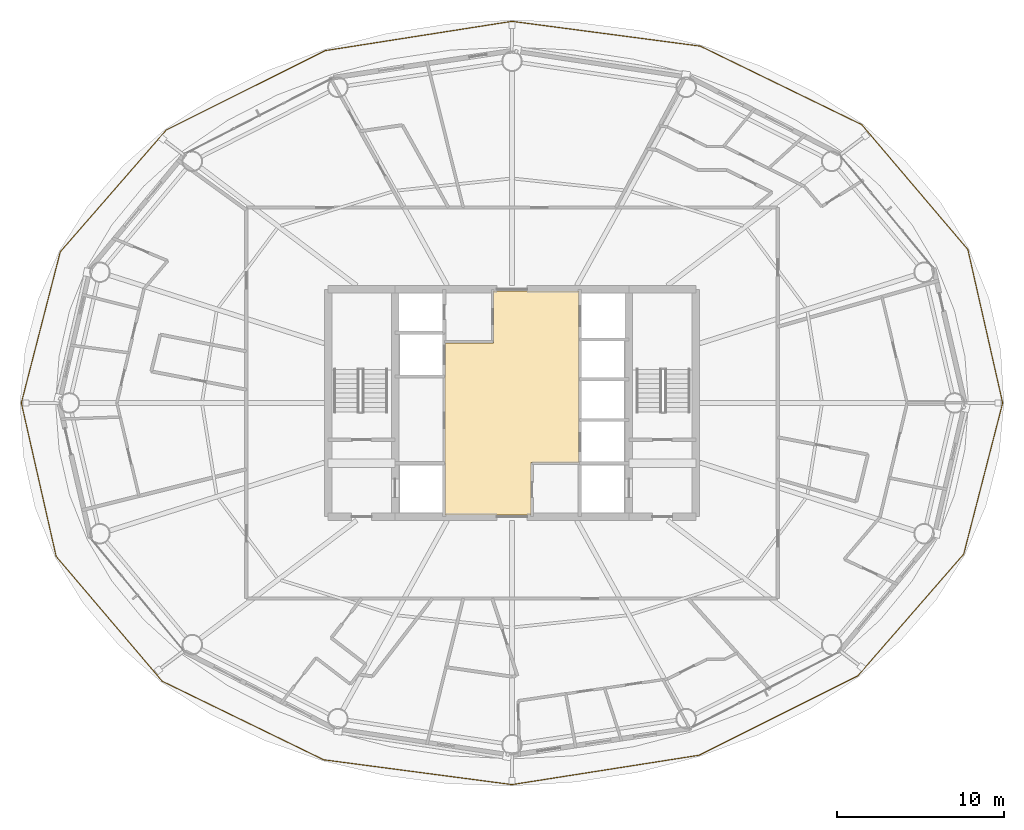
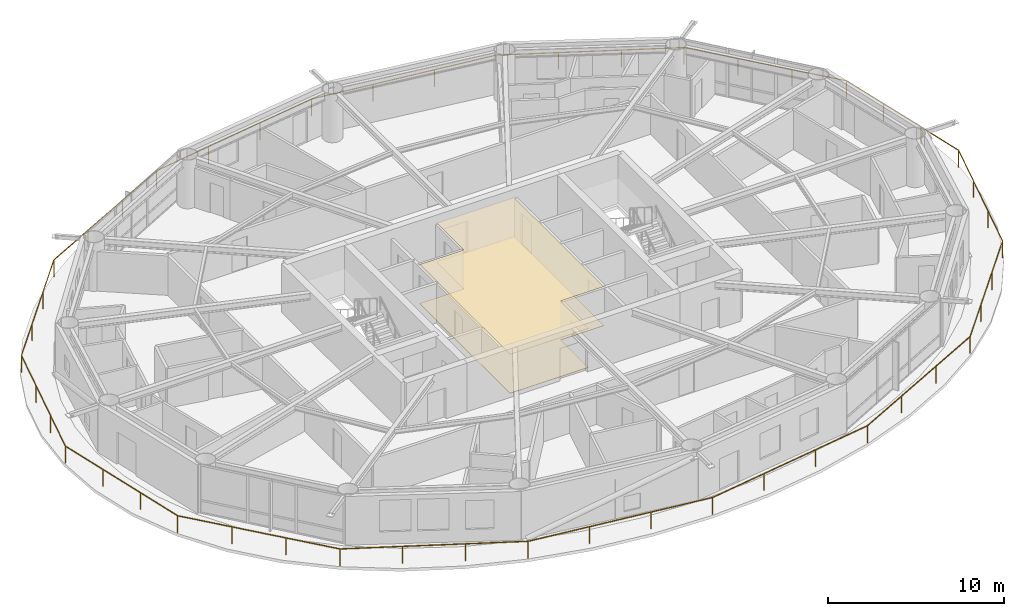
# One storey, part 27 of 28: 2 coverings, 1 railing.
"""IFC4 building model written with IfcOpenShell, lengths in metres."""

from ifc_helpers import new_model, si_unit, direction, frame, origin, origin_2d, place, context, subcontext, project, spatial, polyline, rectangle, outline, extrude, material, layer, layer_set, type_object, element, save


model = new_model("IFC4")

# Units and contexts
model_context = context("Model", 3, precision=1e-05, world=origin(), true_north=direction((0.0, 1.0)))
body_context = subcontext(model_context, "Body", "Model", "MODEL_VIEW")
ifc_project = project(units=[si_unit("LENGTHUNIT", "METRE"), si_unit("AREAUNIT", "SQUARE_METRE"), si_unit("VOLUMEUNIT", "CUBIC_METRE"), si_unit("PLANEANGLEUNIT", "RADIAN"), si_unit("MASSUNIT", "GRAM", prefix="KILO")], contexts=[model_context])

# Site, building, storey
site_placement = place(None, origin())
site = spatial("IfcSite", under=ifc_project, at=site_placement, CompositionType="ELEMENT")
building_placement = place(site_placement, origin())
building = spatial("IfcBuilding", under=site, at=building_placement, Name="Sarneth Arch Tower", CompositionType="ELEMENT")
storey_placement = place(building_placement, frame((0.0, 0.0, 183.0)))
storey = spatial("IfcBuildingStorey", under=building, at=storey_placement, Name="L46", CompositionType="ELEMENT", Elevation=183.0)

# Coverings
ifc_material_1 = material(Name="Perforated acoustic gypsum ceiling board")
ifc_layer_1 = layer(ifc_material_1, 0.02490234375)
ifc_layer_set_1 = layer_set([ifc_layer_1], Name="Perforated acoustic gypsum ceiling board")
covering_type_1 = type_object("IfcCoveringType", Name="COV-CEIL-GYP", PredefinedType="CEILING", material=ifc_layer_set_1)
covering_1_placement = place(storey_placement, frame((0.0, 0.0, 2.7099609375)))
element("IfcCovering", 1, at=covering_1_placement, inside=storey, type_object=covering_type_1, Name="L46 Lift lobby acoustic ceiling", PredefinedType="CEILING", context=body_context, shape_type="SweptSolid", body=[
    extrude(outline(polyline([(49.14990234375, 38.449951171875), (49.14990234375, 35.300048828125), (44.0, 35.300048828125), (44.0, 45.60009765625), (46.89990234375, 45.60009765625), (46.89990234375, 48.699951171875), (52.0, 48.699951171875), (52.0, 38.449951171875), (49.14990234375, 38.449951171875)])), origin(), (0.0, 0.0, 1.0), 0.030029296875),
])
ifc_material_2 = material(Name="Honed granite stone flooring", Category="masonry")
ifc_layer_2 = layer(ifc_material_2, 0.030029296875)
ifc_layer_set_2 = layer_set([ifc_layer_2], Name="Honed granite stone flooring")
covering_type_2 = type_object("IfcCoveringType", Name="COV-FLR-STONE", PredefinedType="FLOORING", material=ifc_layer_set_2)
covering_2_placement = place(storey_placement, origin())
element("IfcCovering", 2, at=covering_2_placement, inside=storey, type_object=covering_type_2, Name="L46 Lift lobby granite flooring", PredefinedType="FLOORING", context=body_context, shape_type="SweptSolid", body=[
    extrude(outline(polyline([(49.14990234375, 38.449951171875), (49.14990234375, 35.300048828125), (44.0, 35.300048828125), (44.0, 45.60009765625), (46.89990234375, 45.60009765625), (46.89990234375, 48.699951171875), (52.0, 48.699951171875), (52.0, 38.449951171875), (49.14990234375, 38.449951171875)])), origin(), (0.0, 0.0, 1.0), 0.030029296875),
])

# Railing
ifc_material_3 = material(Name="Laminated structural glass infill with Stainless Steel 316 top rail and posts", Category="steel")
railing_type = type_object("IfcRailingType", Name="RAIL-BALC-1200", PredefinedType="BALUSTRADE", material=ifc_material_3)
railing_placement = place(storey_placement, frame((77.3642578125, 42.0, 0.0)))
element("IfcRailing", 3, at=railing_placement, inside=storey, type_object=railing_type, Name="L46 Helical balcony glass balustrade", PredefinedType="BALUSTRADE", context=body_context, shape_type="SweptSolid", body=[
    extrude(rectangle(XDim=0.048095703125, YDim=0.048095703125, at=origin_2d()), frame((0.0, 0.0, 1.17578125), z_axis=(-0.221265845576, 0.975213528199, 0.0), x_axis=(-0.975213528199, -0.221265845576, 0.0)), (0.0, 0.0, 1.0), 9.416259765625),
    extrude(rectangle(XDim=0.048095703125, YDim=0.048095703125, at=origin_2d()), frame((-2.08349609375, 9.182861328125, 1.17578125), z_axis=(-0.647576872082, 0.762000127785, 0.0), x_axis=(-0.762000127785, -0.647576872082, 0.0)), (0.0, 0.0, 1.0), 9.806396484375),
    extrude(rectangle(XDim=0.048095703125, YDim=0.048095703125, at=origin_2d()), frame((-8.433837890625, 16.6552734375, 1.17578125), z_axis=(-0.899243305835, 0.437448827763, 0.0), x_axis=(-0.437448827763, -0.899243305835, 0.0)), (0.0, 0.0, 1.0), 10.739990234375),
    extrude(rectangle(XDim=0.048095703125, YDim=0.048095703125, at=origin_2d()), frame((-18.091796875, 21.353515625, 1.17578125), z_axis=(-0.991430013986, 0.130638919802, 0.0), x_axis=(-0.130638919802, -0.991430013986, 0.0)), (0.0, 0.0, 1.0), 11.369873046875),
    extrude(rectangle(XDim=0.048095703125, YDim=0.048095703125, at=origin_2d()), frame((-29.3642578125, 22.8388671875, 1.17578125), z_axis=(-0.987913701282, -0.155004899339, 0.0), x_axis=(0.155004899339, -0.987913701282, 0.0)), (0.0, 0.0, 1.0), 11.32470703125),
    extrude(rectangle(XDim=0.048095703125, YDim=0.048095703125, at=origin_2d()), frame((-40.552001953125, 21.08349609375, 1.17578125), z_axis=(-0.894546677114, -0.446974543418, 0.0), x_axis=(0.446974543418, -0.894546677114, 0.0)), (0.0, 0.0, 1.0), 10.6220703125),
    extrude(rectangle(XDim=0.048095703125, YDim=0.048095703125, at=origin_2d()), frame((-50.053955078125, 16.335693359375, 1.17578125), z_axis=(-0.656425722496, -0.754390661955, 0.0), x_axis=(0.754390661955, -0.656425722496, 0.0)), (0.0, 0.0, 1.0), 9.66455078125),
    extrude(rectangle(XDim=0.048095703125, YDim=0.048095703125, at=origin_2d()), frame((-56.39794921875, 9.044921875, 1.17578125), z_axis=(-0.249515941863, -0.968370690777, 0.0), x_axis=(0.968370690777, -0.249515941863, 0.0)), (0.0, 0.0, 1.0), 9.34033203125),
    extrude(rectangle(XDim=0.048095703125, YDim=0.048095703125, at=origin_2d()), frame((-58.728515625, 0.0, 1.17578125), z_axis=(0.221265845576, -0.975213528199, 0.0), x_axis=(0.975213528199, 0.221265845576, 0.0)), (0.0, 0.0, 1.0), 9.416259765625),
    extrude(rectangle(XDim=0.048095703125, YDim=0.048095703125, at=origin_2d()), frame((-56.64501953125, -9.182861328125, 1.17578125), z_axis=(0.647576872082, -0.762000127785, 0.0), x_axis=(0.762000127785, 0.647576872082, 0.0)), (0.0, 0.0, 1.0), 9.806396484375),
    extrude(rectangle(XDim=0.048095703125, YDim=0.048095703125, at=origin_2d()), frame((-50.294677734375, -16.6552734375, 1.17578125), z_axis=(0.899243305835, -0.437448827763, 0.0), x_axis=(0.437448827763, 0.899243305835, 0.0)), (0.0, 0.0, 1.0), 10.739990234375),
    extrude(rectangle(XDim=0.048095703125, YDim=0.048095703125, at=origin_2d()), frame((-40.63671875, -21.353515625, 1.17578125), z_axis=(0.991430013986, -0.130638919802, 0.0), x_axis=(0.130638919802, 0.991430013986, 0.0)), (0.0, 0.0, 1.0), 11.369873046875),
    extrude(rectangle(XDim=0.048095703125, YDim=0.048095703125, at=origin_2d()), frame((-29.3642578125, -22.8388671875, 1.17578125), z_axis=(0.987913701282, 0.155004899339, 0.0), x_axis=(-0.155004899339, 0.987913701282, 0.0)), (0.0, 0.0, 1.0), 11.32470703125),
    extrude(rectangle(XDim=0.048095703125, YDim=0.048095703125, at=origin_2d()), frame((-18.176513671875, -21.08349609375, 1.17578125), z_axis=(0.894546677114, 0.446974543418, 0.0), x_axis=(-0.446974543418, 0.894546677114, 0.0)), (0.0, 0.0, 1.0), 10.6220703125),
    extrude(rectangle(XDim=0.048095703125, YDim=0.048095703125, at=origin_2d()), frame((-8.674560546875, -16.335693359375, 1.17578125), z_axis=(0.656425722496, 0.754390661955, 0.0), x_axis=(-0.754390661955, 0.656425722496, 0.0)), (0.0, 0.0, 1.0), 9.66455078125),
    extrude(rectangle(XDim=0.048095703125, YDim=0.048095703125, at=origin_2d()), frame((-2.33056640625, -9.044921875, 1.17578125), z_axis=(0.249515941863, 0.968370690777, 0.0), x_axis=(-0.968370690777, 0.249515941863, 0.0)), (0.0, 0.0, 1.0), 9.34033203125),
    extrude(rectangle(XDim=0.0419921875, YDim=0.0419921875, at=origin_2d()), origin(), (0.0, 0.0, 1.0), 1.15185546875),
    extrude(rectangle(XDim=0.0419921875, YDim=0.0419921875, at=origin_2d()), frame((-0.694580078125, 3.06103515625, 0.0)), (0.0, 0.0, 1.0), 1.15185546875),
    extrude(rectangle(XDim=0.0419921875, YDim=0.0419921875, at=origin_2d()), frame((-1.388916015625, 6.121826171875, 0.0)), (0.0, 0.0, 1.0), 1.15185546875),
    extrude(rectangle(XDim=0.0419921875, YDim=0.0419921875, at=origin_2d()), frame((-2.08349609375, 9.182861328125, 0.0)), (0.0, 0.0, 1.0), 1.15185546875),
    extrude(rectangle(XDim=0.0419921875, YDim=0.0419921875, at=origin_2d()), frame((-4.2001953125, 11.673583984375, 0.0)), (0.0, 0.0, 1.0), 1.15185546875),
    extrude(rectangle(XDim=0.0419921875, YDim=0.0419921875, at=origin_2d()), frame((-6.317138671875, 14.16455078125, 0.0)), (0.0, 0.0, 1.0), 1.15185546875),
    extrude(rectangle(XDim=0.0419921875, YDim=0.0419921875, at=origin_2d()), frame((-8.433837890625, 16.6552734375, 0.0)), (0.0, 0.0, 1.0), 1.15185546875),
    extrude(rectangle(XDim=0.0419921875, YDim=0.0419921875, at=origin_2d()), frame((-11.653076171875, 18.221435546875, 0.0)), (0.0, 0.0, 1.0), 1.15185546875),
    extrude(rectangle(XDim=0.0419921875, YDim=0.0419921875, at=origin_2d()), frame((-14.87255859375, 19.787353515625, 0.0)), (0.0, 0.0, 1.0), 1.15185546875),
    extrude(rectangle(XDim=0.0419921875, YDim=0.0419921875, at=origin_2d()), frame((-18.091796875, 21.353515625, 0.0)), (0.0, 0.0, 1.0), 1.15185546875),
    extrude(rectangle(XDim=0.0419921875, YDim=0.0419921875, at=origin_2d()), frame((-21.849365234375, 21.8486328125, 0.0)), (0.0, 0.0, 1.0), 1.15185546875),
    extrude(rectangle(XDim=0.0419921875, YDim=0.0419921875, at=origin_2d()), frame((-25.606689453125, 22.34375, 0.0)), (0.0, 0.0, 1.0), 1.15185546875),
    extrude(rectangle(XDim=0.0419921875, YDim=0.0419921875, at=origin_2d()), frame((-29.3642578125, 22.8388671875, 0.0)), (0.0, 0.0, 1.0), 1.15185546875),
    extrude(rectangle(XDim=0.0419921875, YDim=0.0419921875, at=origin_2d()), frame((-33.093505859375, 22.253662109375, 0.0)), (0.0, 0.0, 1.0), 1.15185546875),
    extrude(rectangle(XDim=0.0419921875, YDim=0.0419921875, at=origin_2d()), frame((-36.82275390625, 21.668701171875, 0.0)), (0.0, 0.0, 1.0), 1.15185546875),
    extrude(rectangle(XDim=0.0419921875, YDim=0.0419921875, at=origin_2d()), frame((-40.552001953125, 21.08349609375, 0.0)), (0.0, 0.0, 1.0), 1.15185546875),
    extrude(rectangle(XDim=0.0419921875, YDim=0.0419921875, at=origin_2d()), frame((-43.71923828125, 19.5009765625, 0.0)), (0.0, 0.0, 1.0), 1.15185546875),
    extrude(rectangle(XDim=0.0419921875, YDim=0.0419921875, at=origin_2d()), frame((-46.88671875, 17.918212890625, 0.0)), (0.0, 0.0, 1.0), 1.15185546875),
    extrude(rectangle(XDim=0.0419921875, YDim=0.0419921875, at=origin_2d()), frame((-50.053955078125, 16.335693359375, 0.0)), (0.0, 0.0, 1.0), 1.15185546875),
    extrude(rectangle(XDim=0.0419921875, YDim=0.0419921875, at=origin_2d()), frame((-52.168701171875, 13.905517578125, 0.0)), (0.0, 0.0, 1.0), 1.15185546875),
    extrude(rectangle(XDim=0.0419921875, YDim=0.0419921875, at=origin_2d()), frame((-54.283203125, 11.47509765625, 0.0)), (0.0, 0.0, 1.0), 1.15185546875),
    extrude(rectangle(XDim=0.0419921875, YDim=0.0419921875, at=origin_2d()), frame((-56.39794921875, 9.044921875, 0.0)), (0.0, 0.0, 1.0), 1.15185546875),
    extrude(rectangle(XDim=0.0419921875, YDim=0.0419921875, at=origin_2d()), frame((-57.1748046875, 6.030029296875, 0.0)), (0.0, 0.0, 1.0), 1.15185546875),
    extrude(rectangle(XDim=0.0419921875, YDim=0.0419921875, at=origin_2d()), frame((-57.95166015625, 3.014892578125, 0.0)), (0.0, 0.0, 1.0), 1.15185546875),
    extrude(rectangle(XDim=0.0419921875, YDim=0.0419921875, at=origin_2d()), frame((-58.728515625, 0.0, 0.0)), (0.0, 0.0, 1.0), 1.15185546875),
    extrude(rectangle(XDim=0.0419921875, YDim=0.0419921875, at=origin_2d()), frame((-58.033935546875, -3.06103515625, 0.0)), (0.0, 0.0, 1.0), 1.15185546875),
    extrude(rectangle(XDim=0.0419921875, YDim=0.0419921875, at=origin_2d()), frame((-57.339599609375, -6.121826171875, 0.0)), (0.0, 0.0, 1.0), 1.15185546875),
    extrude(rectangle(XDim=0.0419921875, YDim=0.0419921875, at=origin_2d()), frame((-56.64501953125, -9.182861328125, 0.0)), (0.0, 0.0, 1.0), 1.15185546875),
    extrude(rectangle(XDim=0.0419921875, YDim=0.0419921875, at=origin_2d()), frame((-54.5283203125, -11.673583984375, 0.0)), (0.0, 0.0, 1.0), 1.15185546875),
    extrude(rectangle(XDim=0.0419921875, YDim=0.0419921875, at=origin_2d()), frame((-52.411376953125, -14.16455078125, 0.0)), (0.0, 0.0, 1.0), 1.15185546875),
    extrude(rectangle(XDim=0.0419921875, YDim=0.0419921875, at=origin_2d()), frame((-50.294677734375, -16.6552734375, 0.0)), (0.0, 0.0, 1.0), 1.15185546875),
    extrude(rectangle(XDim=0.0419921875, YDim=0.0419921875, at=origin_2d()), frame((-47.075439453125, -18.221435546875, 0.0)), (0.0, 0.0, 1.0), 1.15185546875),
    extrude(rectangle(XDim=0.0419921875, YDim=0.0419921875, at=origin_2d()), frame((-43.85595703125, -19.787353515625, 0.0)), (0.0, 0.0, 1.0), 1.15185546875),
    extrude(rectangle(XDim=0.0419921875, YDim=0.0419921875, at=origin_2d()), frame((-40.63671875, -21.353515625, 0.0)), (0.0, 0.0, 1.0), 1.15185546875),
    extrude(rectangle(XDim=0.0419921875, YDim=0.0419921875, at=origin_2d()), frame((-36.879150390625, -21.8486328125, 0.0)), (0.0, 0.0, 1.0), 1.15185546875),
    extrude(rectangle(XDim=0.0419921875, YDim=0.0419921875, at=origin_2d()), frame((-33.121826171875, -22.34375, 0.0)), (0.0, 0.0, 1.0), 1.15185546875),
    extrude(rectangle(XDim=0.0419921875, YDim=0.0419921875, at=origin_2d()), frame((-29.3642578125, -22.8388671875, 0.0)), (0.0, 0.0, 1.0), 1.15185546875),
    extrude(rectangle(XDim=0.0419921875, YDim=0.0419921875, at=origin_2d()), frame((-25.635009765625, -22.253662109375, 0.0)), (0.0, 0.0, 1.0), 1.15185546875),
    extrude(rectangle(XDim=0.0419921875, YDim=0.0419921875, at=origin_2d()), frame((-21.90576171875, -21.668701171875, 0.0)), (0.0, 0.0, 1.0), 1.15185546875),
    extrude(rectangle(XDim=0.0419921875, YDim=0.0419921875, at=origin_2d()), frame((-18.176513671875, -21.08349609375, 0.0)), (0.0, 0.0, 1.0), 1.15185546875),
    extrude(rectangle(XDim=0.0419921875, YDim=0.0419921875, at=origin_2d()), frame((-15.00927734375, -19.5009765625, 0.0)), (0.0, 0.0, 1.0), 1.15185546875),
    extrude(rectangle(XDim=0.0419921875, YDim=0.0419921875, at=origin_2d()), frame((-11.841796875, -17.918212890625, 0.0)), (0.0, 0.0, 1.0), 1.15185546875),
    extrude(rectangle(XDim=0.0419921875, YDim=0.0419921875, at=origin_2d()), frame((-8.674560546875, -16.335693359375, 0.0)), (0.0, 0.0, 1.0), 1.15185546875),
    extrude(rectangle(XDim=0.0419921875, YDim=0.0419921875, at=origin_2d()), frame((-6.559814453125, -13.905517578125, 0.0)), (0.0, 0.0, 1.0), 1.15185546875),
    extrude(rectangle(XDim=0.0419921875, YDim=0.0419921875, at=origin_2d()), frame((-4.4453125, -11.47509765625, 0.0)), (0.0, 0.0, 1.0), 1.15185546875),
    extrude(rectangle(XDim=0.0419921875, YDim=0.0419921875, at=origin_2d()), frame((-2.33056640625, -9.044921875, 0.0)), (0.0, 0.0, 1.0), 1.15185546875),
    extrude(rectangle(XDim=0.0419921875, YDim=0.0419921875, at=origin_2d()), frame((-1.5537109375, -6.030029296875, 0.0)), (0.0, 0.0, 1.0), 1.15185546875),
    extrude(rectangle(XDim=0.0419921875, YDim=0.0419921875, at=origin_2d()), frame((-0.77685546875, -3.014892578125, 0.0)), (0.0, 0.0, 1.0), 1.15185546875),
])

save(model, "model.ifc")
